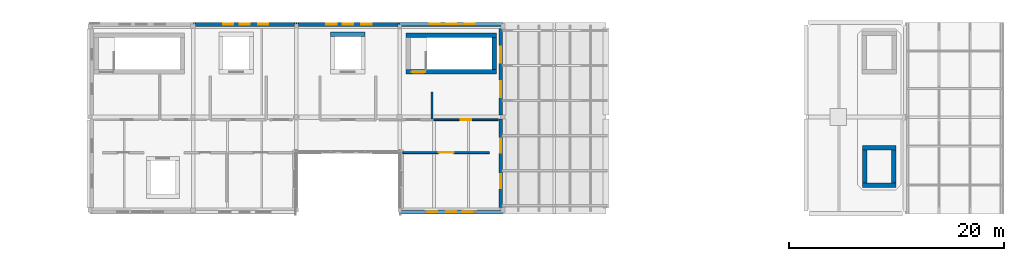
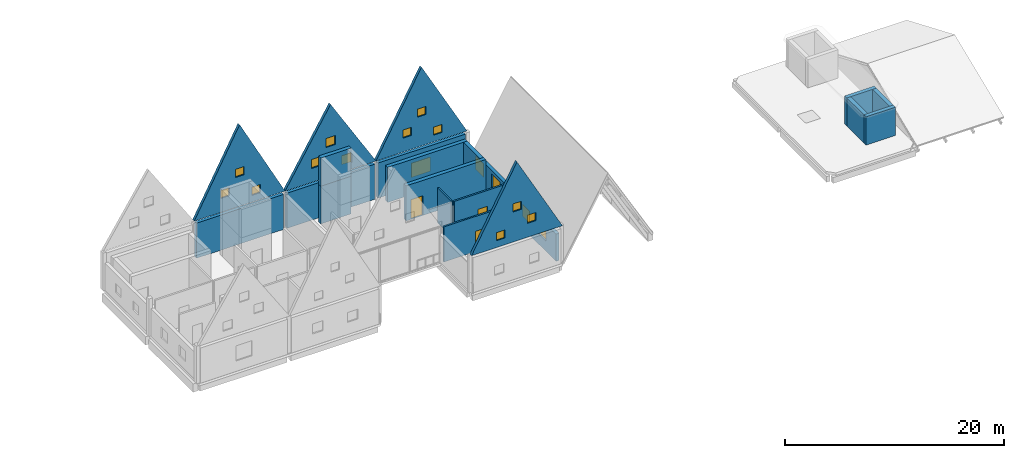
# One storey, part 10 of 13: 21 walls, 17 windows, 3 doors, 20 openings.
"""IFC4 building model written with IfcOpenShell, lengths in metres."""

from ifc_helpers import new_model, si_unit, direction, frame, frame_2d, origin, place, context, subcontext, project, spatial, polyline, rectangle, outline, extrude, material, layer, layer_set, type_object, element, fill, save


model = new_model("IFC4")

# Units and contexts
model_context = context("Model", 3, precision=1e-05, world=origin(), true_north=direction((0.0, 1.0)))
body_context = subcontext(model_context, "Body", "Model", "MODEL_VIEW")
ifc_project = project(units=[si_unit("LENGTHUNIT", "METRE"), si_unit("AREAUNIT", "SQUARE_METRE"), si_unit("VOLUMEUNIT", "CUBIC_METRE"), si_unit("PLANEANGLEUNIT", "RADIAN"), si_unit("MASSUNIT", "GRAM", prefix="KILO")], contexts=[model_context])

# Site, building, storey
site_placement = place(None, origin())
site = spatial("IfcSite", under=ifc_project, at=site_placement, CompositionType="ELEMENT")
building_placement = place(site_placement, origin())
building = spatial("IfcBuilding", under=site, at=building_placement, Name="Birchvale Park Specialist Clinic", CompositionType="ELEMENT")
storey_placement = place(building_placement, frame((0.0, 0.0, 22.199951171875)))
storey = spatial("IfcBuildingStorey", under=building, at=storey_placement, Name="L05", CompositionType="ELEMENT", Elevation=22.199951171875)

# Wall, opening, door
ifc_material_1 = material(Name="Concrete C40/50", Category="concrete")
ifc_layer_1 = layer(ifc_material_1, 0.39990234375)
ifc_layer_set_1 = layer_set([ifc_layer_1], Name="Concrete C40/50")
wall_type_1 = type_object("IfcWallType", Name="WL-CW-120", PredefinedType="SHEAR", material=ifc_layer_set_1)
wall_1_placement = place(storey_placement, frame((90.800048828125, 30.0, 0.0), z_axis=(0.0, 0.0, 1.0), x_axis=(1.0, 0.0, 0.0)))
wall_1 = element("IfcWall", 1, at=wall_1_placement, inside=storey, type_object=wall_type_1, Name="L05 stair ST5 EI 120 enclosure wall (south)", PredefinedType="SHEAR", context=body_context, shape_type="SweptSolid", body=[
    extrude(rectangle(XDim=8.39990234375, YDim=0.39990234375, at=frame_2d((4.199951171875, 0.0))), origin(), (0.0, 0.0, 1.0), 3.920166015625),
])
opening_1_placement = place(wall_1_placement, frame((0.52001953125, 0.0, 0.0)))
opening_1 = element("IfcOpeningElement", 2, at=opening_1_placement, cuts=wall_1, Name="Opening ID-FD60", PredefinedType="OPENING", context=body_context, shape_type="SweptSolid", body=[
    extrude(rectangle(XDim=1.25, YDim=2.199951171875, at=frame_2d((0.625, 1.10009765625))), frame((0.0, 0.2099609375, 0.0), z_axis=(0.0, -1.0, 0.0), x_axis=(1.0, 0.0, 0.0)), (0.0, 0.0, 1.0), 0.419921875),
])
ifc_material_2 = material(Name="Solid-core birch veneer and anodised aluminium", Category="aluminium")
door_type_1 = type_object("IfcDoorType", Name="DR-ID-FD60", OperationType="NOTDEFINED", PredefinedType="DOOR", material=ifc_material_2)
door_1_placement = place(opening_1_placement, origin())
door_1 = element("IfcDoor", 3, at=door_1_placement, inside=storey, type_object=door_type_1, Name="L05 stair ST5 fire door", OperationType="SINGLE_SWING_LEFT", OverallHeight=2.199951171875, OverallWidth=1.25, PredefinedType="DOOR", context=body_context, shape_type="SweptSolid", body=[
    extrude(rectangle(XDim=1.25, YDim=2.199951171875, at=frame_2d((0.625, 1.10009765625))), frame((0.0, 0.02490234375, 0.0), z_axis=(0.0, -1.0, 0.0), x_axis=(1.0, 0.0, 0.0)), (0.0, 0.0, 1.0), 0.050048828125),
])
fill(opening_1, door_1)

# Walls
wall_2_placement = place(storey_placement, frame((99.199951171875, 33.39990234375, 0.0), z_axis=(0.0, 0.0, 1.0), x_axis=(-1.0, 0.0, 0.0)))
element("IfcWall", 4, at=wall_2_placement, inside=storey, type_object=wall_type_1, Name="L05 stair ST5 EI 120 enclosure wall (north)", PredefinedType="SHEAR", context=body_context, shape_type="SweptSolid", body=[
    extrude(rectangle(XDim=8.39990234375, YDim=0.39990234375, at=frame_2d((4.199951171875, 0.0))), origin(), (0.0, 0.0, 1.0), 3.920166015625),
])
wall_3_placement = place(storey_placement, frame((99.0, 33.199951171875, 0.0), z_axis=(0.0, 0.0, 1.0), x_axis=(0.0, -1.0, 0.0)))
element("IfcWall", 5, at=wall_3_placement, inside=storey, type_object=wall_type_1, Name="L05 stair ST5 EI 120 enclosure wall (east)", PredefinedType="SHEAR", context=body_context, shape_type="SweptSolid", body=[
    extrude(rectangle(XDim=3.0, YDim=0.39990234375, at=frame_2d((1.5, 0.0))), origin(), (0.0, 0.0, 1.0), 3.920166015625),
])
wall_4_placement = place(storey_placement, frame((87.0, 33.5, 0.0), z_axis=(0.0, 0.0, 1.0), x_axis=(-1.0, 0.0, 0.0)))
element("IfcWall", 6, at=wall_4_placement, inside=storey, type_object=wall_type_1, Name="L05 lift LF2 shaft wall (north)", PredefinedType="SHEAR", context=body_context, shape_type="SweptSolid", body=[
    extrude(rectangle(XDim=3.199951171875, YDim=0.39990234375, at=frame_2d((1.60009765625, 0.0))), origin(), (0.0, 0.0, 1.0), 4.199951171875),
])
wall_5_placement = place(storey_placement, frame((87.0, 33.5, 4.199951171875), z_axis=(0.0, 0.0, 1.0), x_axis=(-1.0, 0.0, 0.0)))
element("IfcWall", 7, at=wall_5_placement, inside=storey, type_object=wall_type_1, Name="L06 lift LF2 shaft wall (north)", PredefinedType="SHEAR", context=body_context, shape_type="SweptSolid", body=[
    extrude(rectangle(XDim=3.199951171875, YDim=0.39990234375, at=frame_2d((1.60009765625, 0.0))), origin(), (0.0, 0.0, 1.0), 3.150146484375),
])
for number, where, z_axis, x_axis, name in (
    (8, (133.25, 19.449951171875, 0.0), (0.0, 0.0, 1.0), (1.0, 0.0, 0.0), "L05 lift LP4 shaft wall (south)"),
    (9, (136.35009765625, 22.949951171875, 0.0), (0.0, 0.0, 1.0), (-1.0, 0.0, 0.0), "L05 lift LP4 shaft wall (north)"),
    (10, (133.449951171875, 19.64990234375, 0.0), (0.0, 0.0, 1.0), (0.0, 1.0, 0.0), "L05 lift LP4 shaft wall (west)"),
    (11, (136.14990234375, 22.75, 0.0), (0.0, 0.0, 1.0), (0.0, -1.0, 0.0), "L05 lift LP4 shaft wall (east)"),
):
    element("IfcWall", number, at=place(storey_placement, frame(where, z_axis=z_axis, x_axis=x_axis)), inside=storey, type_object=wall_type_1, Name=name, PredefinedType="SHEAR", context=body_context, shape_type="SweptSolid", body=[
        extrude(rectangle(XDim=3.10009765625, YDim=0.39990234375, at=frame_2d((1.550048828125, 0.0))), origin(), (0.0, 0.0, 1.0), 3.150146484375),
    ])

# Wall, openings, windows
ifc_material_3 = material(Name="Lime-white mineral-rendered insulated masonry", Category="masonry")
ifc_layer_2 = layer(ifc_material_3, 0.340087890625)
ifc_layer_set_2 = layer_set([ifc_layer_2], Name="Lime-white mineral-rendered insulated masonry")
wall_type_2 = type_object("IfcWallType", Name="WL-EW-01", PredefinedType="STANDARD", material=ifc_layer_set_2)
wall_6_placement = place(storey_placement, frame((99.610107421875, 17.385009765625, 0.0), z_axis=(0.0, 0.0, 1.0), x_axis=(0.0, 1.0, 0.0)))
wall_6 = element("IfcWall", 12, at=wall_6_placement, inside=storey, type_object=wall_type_2, Name="V4 L05 exterior facade wall 301", PredefinedType="STANDARD", context=body_context, shape_type="SweptSolid", body=[
    extrude(rectangle(XDim=8.219970703125, YDim=0.340087890625, at=frame_2d((4.10986328125, 0.0))), origin(), (0.0, 0.0, 1.0), 3.03515625),
])
opening_2_placement = place(wall_6_placement, frame((1.81591796875, 0.0, 1.14990234375)))
opening_2 = element("IfcOpeningElement", 13, at=opening_2_placement, cuts=wall_6, Name="Opening W-SQ13", PredefinedType="OPENING", context=body_context, shape_type="SweptSolid", body=[
    extrude(rectangle(XDim=1.300048828125, YDim=1.300048828125, at=frame_2d((0.64990234375, 0.64990234375))), frame((0.0, 0.18017578125, 0.0), z_axis=(0.0, -1.0, 0.0), x_axis=(1.0, 0.0, 0.0)), (0.0, 0.0, 1.0), 0.360107421875),
])
opening_3_placement = place(wall_6_placement, frame((5.10400390625, 0.0, 1.14990234375)))
opening_3 = element("IfcOpeningElement", 14, at=opening_3_placement, cuts=wall_6, Name="Opening W-SQ13", PredefinedType="OPENING", context=body_context, shape_type="SweptSolid", body=[
    extrude(rectangle(XDim=1.300048828125, YDim=1.300048828125, at=frame_2d((0.64990234375, 0.64990234375))), frame((0.0, 0.18017578125, 0.0), z_axis=(0.0, -1.0, 0.0), x_axis=(1.0, 0.0, 0.0)), (0.0, 0.0, 1.0), 0.360107421875),
])
ifc_material_4 = material(Name="Solar-control low-E double glazing", Category="glass")
window_type_1 = type_object("IfcWindowType", Name="WIN-W-SQ13", PartitioningType="SINGLE_PANEL", PredefinedType="WINDOW", material=ifc_material_4)
window_1_placement = place(opening_2_placement, origin())
window_1 = element("IfcWindow", 15, at=window_1_placement, inside=storey, type_object=window_type_1, Name="V4 L05 cased window 161", OverallHeight=1.300048828125, OverallWidth=1.300048828125, PartitioningType="SINGLE_PANEL", PredefinedType="WINDOW", context=body_context, shape_type="SweptSolid", body=[
    extrude(rectangle(XDim=1.300048828125, YDim=1.300048828125, at=frame_2d((0.64990234375, 0.64990234375))), frame((0.0, 0.030029296875, 0.0), z_axis=(0.0, -1.0, 0.0), x_axis=(1.0, 0.0, 0.0)), (0.0, 0.0, 1.0), 0.06005859375),
])
fill(opening_2, window_1)
window_2_placement = place(opening_3_placement, origin())
window_2 = element("IfcWindow", 16, at=window_2_placement, inside=storey, type_object=window_type_1, Name="V4 L05 cased window 162", OverallHeight=1.300048828125, OverallWidth=1.300048828125, PartitioningType="SINGLE_PANEL", PredefinedType="WINDOW", context=body_context, shape_type="SweptSolid", body=[
    extrude(rectangle(XDim=1.300048828125, YDim=1.300048828125, at=frame_2d((0.64990234375, 0.64990234375))), frame((0.0, 0.030029296875, 0.0), z_axis=(0.0, -1.0, 0.0), x_axis=(1.0, 0.0, 0.0)), (0.0, 0.0, 1.0), 0.06005859375),
])
fill(opening_3, window_2)

wall_7_placement = place(storey_placement, frame((99.610107421875, 25.9951171875, 0.0), z_axis=(0.0, 0.0, 1.0), x_axis=(0.0, 1.0, 0.0)))
wall_7 = element("IfcWall", 17, at=wall_7_placement, inside=storey, type_object=wall_type_2, Name="V4 L05 exterior facade wall 302", PredefinedType="STANDARD", context=body_context, shape_type="SweptSolid", body=[
    extrude(rectangle(XDim=8.019775390625, YDim=0.340087890625, at=frame_2d((4.009765625, 0.0))), origin(), (0.0, 0.0, 1.0), 3.03515625),
])
opening_4_placement = place(wall_7_placement, frame((1.656005859375, 0.0, 1.14990234375)))
opening_4 = element("IfcOpeningElement", 18, at=opening_4_placement, cuts=wall_7, Name="Opening W-SQ15", PredefinedType="OPENING", context=body_context, shape_type="SweptSolid", body=[
    extrude(rectangle(XDim=1.5, YDim=1.5, at=frame_2d((0.75, 0.75))), frame((0.0, 0.18017578125, 0.0), z_axis=(0.0, -1.0, 0.0), x_axis=(1.0, 0.0, 0.0)), (0.0, 0.0, 1.0), 0.360107421875),
])
opening_5_placement = place(wall_7_placement, frame((4.864013671875, 0.0, 1.14990234375)))
opening_5 = element("IfcOpeningElement", 19, at=opening_5_placement, cuts=wall_7, Name="Opening W-SQ15", PredefinedType="OPENING", context=body_context, shape_type="SweptSolid", body=[
    extrude(rectangle(XDim=1.5, YDim=1.5, at=frame_2d((0.75, 0.75))), frame((0.0, 0.18017578125, 0.0), z_axis=(0.0, -1.0, 0.0), x_axis=(1.0, 0.0, 0.0)), (0.0, 0.0, 1.0), 0.360107421875),
])
window_type_2 = type_object("IfcWindowType", Name="WIN-W-SQ15", PartitioningType="SINGLE_PANEL", PredefinedType="WINDOW", material=ifc_material_4)
window_3_placement = place(opening_4_placement, origin())
window_3 = element("IfcWindow", 20, at=window_3_placement, inside=storey, type_object=window_type_2, Name="V4 L05 cased window 163", OverallHeight=1.5, OverallWidth=1.5, PartitioningType="SINGLE_PANEL", PredefinedType="WINDOW", context=body_context, shape_type="SweptSolid", body=[
    extrude(rectangle(XDim=1.5, YDim=1.5, at=frame_2d((0.75, 0.75))), frame((0.0, 0.030029296875, 0.0), z_axis=(0.0, -1.0, 0.0), x_axis=(1.0, 0.0, 0.0)), (0.0, 0.0, 1.0), 0.06005859375),
])
fill(opening_4, window_3)
window_4_placement = place(opening_5_placement, origin())
window_4 = element("IfcWindow", 21, at=window_4_placement, inside=storey, type_object=window_type_2, Name="V4 L05 cased window 164", OverallHeight=1.5, OverallWidth=1.5, PartitioningType="SINGLE_PANEL", PredefinedType="WINDOW", context=body_context, shape_type="SweptSolid", body=[
    extrude(rectangle(XDim=1.5, YDim=1.5, at=frame_2d((0.75, 0.75))), frame((0.0, 0.030029296875, 0.0), z_axis=(0.0, -1.0, 0.0), x_axis=(1.0, 0.0, 0.0)), (0.0, 0.0, 1.0), 0.06005859375),
])
fill(opening_5, window_4)

# Wall, opening, window
wall_8_placement = place(storey_placement, frame((99.6201171875, 34.409912109375, 0.0), z_axis=(0.0, 0.0, 1.0), x_axis=(-1.0, 0.0, 0.0)))
wall_8 = element("IfcWall", 22, at=wall_8_placement, inside=storey, type_object=wall_type_2, Name="V4 L05 exterior facade wall 303", PredefinedType="STANDARD", context=body_context, shape_type="SweptSolid", body=[
    extrude(rectangle(XDim=9.260009765625, YDim=0.340087890625, at=frame_2d((4.6298828125, 0.0))), origin(), (0.0, 0.0, 1.0), 3.920166015625),
])
opening_6_placement = place(wall_8_placement, frame((3.6298828125, 0.0, 0.949951171875)))
opening_6 = element("IfcOpeningElement", 23, at=opening_6_placement, cuts=wall_8, Name="Opening W-CL06", PredefinedType="OPENING", context=body_context, shape_type="SweptSolid", body=[
    extrude(rectangle(XDim=2.0, YDim=1.60009765625, at=frame_2d((1.0, 0.800048828125))), frame((0.0, 0.18017578125, 0.0), z_axis=(0.0, -1.0, 0.0), x_axis=(1.0, 0.0, 0.0)), (0.0, 0.0, 1.0), 0.360107421875),
])
window_type_3 = type_object("IfcWindowType", Name="WIN-W-CL06", PartitioningType="SINGLE_PANEL", PredefinedType="WINDOW", material=ifc_material_4)
window_5_placement = place(opening_6_placement, origin())
window_5 = element("IfcWindow", 24, at=window_5_placement, inside=storey, type_object=window_type_3, Name="V4 L05 cased window 165", OverallHeight=1.60009765625, OverallWidth=2.0, PartitioningType="SINGLE_PANEL", PredefinedType="WINDOW", context=body_context, shape_type="SweptSolid", body=[
    extrude(rectangle(XDim=2.0, YDim=1.60009765625, at=frame_2d((1.0, 0.800048828125))), frame((0.0, 0.030029296875, 0.0), z_axis=(0.0, -1.0, 0.0), x_axis=(1.0, 0.0, 0.0)), (0.0, 0.0, 1.0), 0.06005859375),
])
fill(opening_6, window_5)

# Walls
wall_9_placement = place(storey_placement, frame((90.0400390625, 34.409912109375, 0.0), z_axis=(0.0, 0.0, 1.0), x_axis=(-1.0, 0.0, 0.0)))
element("IfcWall", 25, at=wall_9_placement, inside=storey, type_object=wall_type_2, Name="V4 L05 exterior facade wall 304", PredefinedType="STANDARD", context=body_context, shape_type="SweptSolid", body=[
    extrude(rectangle(XDim=9.255126953125, YDim=0.340087890625, at=frame_2d((4.62744140625, 0.0))), origin(), (0.0, 0.0, 1.0), 3.920166015625),
])
wall_10_placement = place(storey_placement, frame((80.4150390625, 34.409912109375, 0.0), z_axis=(0.0, 0.0, 1.0), x_axis=(-1.0, 0.0, 0.0)))
element("IfcWall", 26, at=wall_10_placement, inside=storey, type_object=wall_type_2, Name="V4 L05 exterior facade wall 305", PredefinedType="STANDARD", context=body_context, shape_type="SweptSolid", body=[
    extrude(rectangle(XDim=9.205078125, YDim=0.340087890625, at=frame_2d((4.6025390625, 0.0))), origin(), (0.0, 0.0, 1.0), 3.920166015625),
])

# Wall, openings, windows
ifc_layer_3 = layer(ifc_material_3, 0.31005859375)
ifc_layer_set_3 = layer_set([ifc_layer_3], Name="Lime-white mineral-rendered insulated masonry")
wall_type_3 = type_object("IfcWallType", Name="WL-EW-02", PredefinedType="STANDARD", material=ifc_layer_set_3)
wall_11_placement = place(storey_placement, frame((80.60009765625, 34.425048828125, 4.199951171875), z_axis=(0.0, 0.0, 1.0), x_axis=(-1.0, 0.0, 0.0)))
wall_11 = element("IfcWall", 27, at=wall_11_placement, inside=storey, type_object=wall_type_3, Name="L06 white house-gable end wall Bay 3 N", PredefinedType="STANDARD", context=body_context, shape_type="SweptSolid", body=[
    extrude(outline(polyline([(0.0, 0.0), (9.60009765625, 0.0), (9.60009765625, 0.0), (4.800048828125, 9.090087890625), (0.0, 0.0), (0.0, 0.0)])), frame((0.0, 0.155029296875, 0.0), z_axis=(0.0, -1.0, 0.0), x_axis=(1.0, 0.0, 0.0)), (0.0, 0.0, 1.0), 0.31005859375),
])
opening_7_placement = place(wall_11_placement, frame((2.6220703125, 0.0, 0.75)))
opening_7 = element("IfcOpeningElement", 28, at=opening_7_placement, cuts=wall_11, Name="Opening W-SQ09", PredefinedType="OPENING", context=body_context, shape_type="SweptSolid", body=[
    extrude(rectangle(XDim=0.89990234375, YDim=0.89990234375, at=frame_2d((0.449951171875, 0.449951171875))), frame((0.0, 0.1650390625, 0.0), z_axis=(0.0, -1.0, 0.0), x_axis=(1.0, 0.0, 0.0)), (0.0, 0.0, 1.0), 0.330078125),
])
opening_8_placement = place(wall_11_placement, frame((5.885986328125, 0.0, 1.550048828125)))
opening_8 = element("IfcOpeningElement", 29, at=opening_8_placement, cuts=wall_11, Name="Opening W-SQ09", PredefinedType="OPENING", context=body_context, shape_type="SweptSolid", body=[
    extrude(rectangle(XDim=0.89990234375, YDim=0.89990234375, at=frame_2d((0.449951171875, 0.449951171875))), frame((0.0, 0.1650390625, 0.0), z_axis=(0.0, -1.0, 0.0), x_axis=(1.0, 0.0, 0.0)), (0.0, 0.0, 1.0), 0.330078125),
])
opening_9_placement = place(wall_11_placement, frame((4.35009765625, 0.0, 3.35009765625)))
opening_9 = element("IfcOpeningElement", 30, at=opening_9_placement, cuts=wall_11, Name="Opening W-SQ09", PredefinedType="OPENING", context=body_context, shape_type="SweptSolid", body=[
    extrude(rectangle(XDim=0.89990234375, YDim=0.89990234375, at=frame_2d((0.449951171875, 0.449951171875))), frame((0.0, 0.1650390625, 0.0), z_axis=(0.0, -1.0, 0.0), x_axis=(1.0, 0.0, 0.0)), (0.0, 0.0, 1.0), 0.330078125),
])
window_type_4 = type_object("IfcWindowType", Name="WIN-W-SQ09", PartitioningType="SINGLE_PANEL", PredefinedType="WINDOW", material=ifc_material_4)
window_6_placement = place(opening_7_placement, origin())
window_6 = element("IfcWindow", 31, at=window_6_placement, inside=storey, type_object=window_type_4, Name="L06 gable square window Bay 3 N.1", OverallHeight=0.89990234375, OverallWidth=0.89990234375, PartitioningType="SINGLE_PANEL", PredefinedType="WINDOW", context=body_context, shape_type="SweptSolid", body=[
    extrude(rectangle(XDim=0.89990234375, YDim=0.89990234375, at=frame_2d((0.449951171875, 0.449951171875))), frame((0.0, 0.030029296875, 0.0), z_axis=(0.0, -1.0, 0.0), x_axis=(1.0, 0.0, 0.0)), (0.0, 0.0, 1.0), 0.06005859375),
])
fill(opening_7, window_6)
window_7_placement = place(opening_8_placement, origin())
window_7 = element("IfcWindow", 32, at=window_7_placement, inside=storey, type_object=window_type_4, Name="L06 gable square window Bay 3 N.2", OverallHeight=0.89990234375, OverallWidth=0.89990234375, PartitioningType="SINGLE_PANEL", PredefinedType="WINDOW", context=body_context, shape_type="SweptSolid", body=[
    extrude(rectangle(XDim=0.89990234375, YDim=0.89990234375, at=frame_2d((0.449951171875, 0.449951171875))), frame((0.0, 0.030029296875, 0.0), z_axis=(0.0, -1.0, 0.0), x_axis=(1.0, 0.0, 0.0)), (0.0, 0.0, 1.0), 0.06005859375),
])
fill(opening_8, window_7)
window_8_placement = place(opening_9_placement, origin())
window_8 = element("IfcWindow", 33, at=window_8_placement, inside=storey, type_object=window_type_4, Name="L06 gable square window Bay 3 N.3", OverallHeight=0.89990234375, OverallWidth=0.89990234375, PartitioningType="SINGLE_PANEL", PredefinedType="WINDOW", context=body_context, shape_type="SweptSolid", body=[
    extrude(rectangle(XDim=0.89990234375, YDim=0.89990234375, at=frame_2d((0.449951171875, 0.449951171875))), frame((0.0, 0.030029296875, 0.0), z_axis=(0.0, -1.0, 0.0), x_axis=(1.0, 0.0, 0.0)), (0.0, 0.0, 1.0), 0.06005859375),
])
fill(opening_9, window_8)

wall_12_placement = place(storey_placement, frame((90.199951171875, 34.425048828125, 4.199951171875), z_axis=(0.0, 0.0, 1.0), x_axis=(-1.0, 0.0, 0.0)))
wall_12 = element("IfcWall", 34, at=wall_12_placement, inside=storey, type_object=wall_type_3, Name="L06 white house-gable end wall Bay 4 N", PredefinedType="STANDARD", context=body_context, shape_type="SweptSolid", body=[
    extrude(outline(polyline([(0.0, 0.0), (9.599853515625, 0.0), (9.60009765625, 0.0), (4.800048828125, 7.989990234375), (0.0, 0.0), (0.0, 0.0)])), frame((0.0, 0.155029296875, 0.0), z_axis=(0.0, -1.0, 0.0), x_axis=(1.0, 0.0, 0.0)), (0.0, 0.0, 1.0), 0.31005859375),
])
opening_10_placement = place(wall_12_placement, frame((2.572021484375, 0.0, 0.75)))
opening_10 = element("IfcOpeningElement", 35, at=opening_10_placement, cuts=wall_12, Name="Opening W-SQ10", PredefinedType="OPENING", context=body_context, shape_type="SweptSolid", body=[
    extrude(rectangle(XDim=1.0, YDim=1.0, at=frame_2d((0.5, 0.5))), frame((0.0, 0.1650390625, 0.0), z_axis=(0.0, -1.0, 0.0), x_axis=(1.0, 0.0, 0.0)), (0.0, 0.0, 1.0), 0.330078125),
])
opening_11_placement = place(wall_12_placement, frame((5.8359375, 0.0, 1.550048828125)))
opening_11 = element("IfcOpeningElement", 36, at=opening_11_placement, cuts=wall_12, Name="Opening W-SQ10", PredefinedType="OPENING", context=body_context, shape_type="SweptSolid", body=[
    extrude(rectangle(XDim=1.0, YDim=1.0, at=frame_2d((0.5, 0.5))), frame((0.0, 0.1650390625, 0.0), z_axis=(0.0, -1.0, 0.0), x_axis=(1.0, 0.0, 0.0)), (0.0, 0.0, 1.0), 0.330078125),
])
opening_12_placement = place(wall_12_placement, frame((4.300048828125, 0.0, 3.35009765625)))
opening_12 = element("IfcOpeningElement", 37, at=opening_12_placement, cuts=wall_12, Name="Opening W-SQ10", PredefinedType="OPENING", context=body_context, shape_type="SweptSolid", body=[
    extrude(rectangle(XDim=1.0, YDim=1.0, at=frame_2d((0.5, 0.5))), frame((0.0, 0.1650390625, 0.0), z_axis=(0.0, -1.0, 0.0), x_axis=(1.0, 0.0, 0.0)), (0.0, 0.0, 1.0), 0.330078125),
])
window_type_5 = type_object("IfcWindowType", Name="WIN-W-SQ10", PartitioningType="SINGLE_PANEL", PredefinedType="WINDOW", material=ifc_material_4)
window_9_placement = place(opening_10_placement, origin())
window_9 = element("IfcWindow", 38, at=window_9_placement, inside=storey, type_object=window_type_5, Name="L06 gable square window Bay 4 N.1", OverallHeight=1.0, OverallWidth=1.0, PartitioningType="SINGLE_PANEL", PredefinedType="WINDOW", context=body_context, shape_type="SweptSolid", body=[
    extrude(rectangle(XDim=1.0, YDim=1.0, at=frame_2d((0.5, 0.5))), frame((0.0, 0.030029296875, 0.0), z_axis=(0.0, -1.0, 0.0), x_axis=(1.0, 0.0, 0.0)), (0.0, 0.0, 1.0), 0.06005859375),
])
fill(opening_10, window_9)
window_10_placement = place(opening_11_placement, origin())
window_10 = element("IfcWindow", 39, at=window_10_placement, inside=storey, type_object=window_type_5, Name="L06 gable square window Bay 4 N.2", OverallHeight=1.0, OverallWidth=1.0, PartitioningType="SINGLE_PANEL", PredefinedType="WINDOW", context=body_context, shape_type="SweptSolid", body=[
    extrude(rectangle(XDim=1.0, YDim=1.0, at=frame_2d((0.5, 0.5))), frame((0.0, 0.030029296875, 0.0), z_axis=(0.0, -1.0, 0.0), x_axis=(1.0, 0.0, 0.0)), (0.0, 0.0, 1.0), 0.06005859375),
])
fill(opening_11, window_10)
window_11_placement = place(opening_12_placement, origin())
window_11 = element("IfcWindow", 40, at=window_11_placement, inside=storey, type_object=window_type_5, Name="L06 gable square window Bay 4 N.3", OverallHeight=1.0, OverallWidth=1.0, PartitioningType="SINGLE_PANEL", PredefinedType="WINDOW", context=body_context, shape_type="SweptSolid", body=[
    extrude(rectangle(XDim=1.0, YDim=1.0, at=frame_2d((0.5, 0.5))), frame((0.0, 0.030029296875, 0.0), z_axis=(0.0, -1.0, 0.0), x_axis=(1.0, 0.0, 0.0)), (0.0, 0.0, 1.0), 0.06005859375),
])
fill(opening_12, window_11)

wall_13_placement = place(storey_placement, frame((90.199951171875, 16.97509765625, 4.199951171875), z_axis=(0.0, 0.0, 1.0), x_axis=(1.0, 0.0, 0.0)))
wall_13 = element("IfcWall", 41, at=wall_13_placement, inside=storey, type_object=wall_type_3, Name="L06 white house-gable end wall Bay 5 S", PredefinedType="STANDARD", context=body_context, shape_type="SweptSolid", body=[
    extrude(outline(polyline([(0.0, 0.0), (9.60009765625, 0.0), (9.60009765625, 0.0), (4.800048828125, 8.7900390625), (0.0, 0.0), (0.0, 0.0)])), frame((0.0, 0.155029296875, 0.0), z_axis=(0.0, -1.0, 0.0), x_axis=(1.0, 0.0, 0.0)), (0.0, 0.0, 1.0), 0.31005859375),
])
opening_13_placement = place(wall_13_placement, frame((2.6220703125, 0.0, 0.75)))
opening_13 = element("IfcOpeningElement", 42, at=opening_13_placement, cuts=wall_13, Name="Opening W-SQ09", PredefinedType="OPENING", context=body_context, shape_type="SweptSolid", body=[
    extrude(rectangle(XDim=0.89990234375, YDim=0.89990234375, at=frame_2d((0.449951171875, 0.449951171875))), frame((0.0, 0.1650390625, 0.0), z_axis=(0.0, -1.0, 0.0), x_axis=(1.0, 0.0, 0.0)), (0.0, 0.0, 1.0), 0.330078125),
])
opening_14_placement = place(wall_13_placement, frame((5.885986328125, 0.0, 1.550048828125)))
opening_14 = element("IfcOpeningElement", 43, at=opening_14_placement, cuts=wall_13, Name="Opening W-SQ09", PredefinedType="OPENING", context=body_context, shape_type="SweptSolid", body=[
    extrude(rectangle(XDim=0.89990234375, YDim=0.89990234375, at=frame_2d((0.449951171875, 0.449951171875))), frame((0.0, 0.1650390625, 0.0), z_axis=(0.0, -1.0, 0.0), x_axis=(1.0, 0.0, 0.0)), (0.0, 0.0, 1.0), 0.330078125),
])
opening_15_placement = place(wall_13_placement, frame((4.35009765625, 0.0, 3.35009765625)))
opening_15 = element("IfcOpeningElement", 44, at=opening_15_placement, cuts=wall_13, Name="Opening W-SQ09", PredefinedType="OPENING", context=body_context, shape_type="SweptSolid", body=[
    extrude(rectangle(XDim=0.89990234375, YDim=0.89990234375, at=frame_2d((0.449951171875, 0.449951171875))), frame((0.0, 0.1650390625, 0.0), z_axis=(0.0, -1.0, 0.0), x_axis=(1.0, 0.0, 0.0)), (0.0, 0.0, 1.0), 0.330078125),
])
window_12_placement = place(opening_13_placement, origin())
window_12 = element("IfcWindow", 45, at=window_12_placement, inside=storey, type_object=window_type_4, Name="L06 gable square window Bay 5 S.1", OverallHeight=0.89990234375, OverallWidth=0.89990234375, PartitioningType="SINGLE_PANEL", PredefinedType="WINDOW", context=body_context, shape_type="SweptSolid", body=[
    extrude(rectangle(XDim=0.89990234375, YDim=0.89990234375, at=frame_2d((0.449951171875, 0.449951171875))), frame((0.0, 0.030029296875, 0.0), z_axis=(0.0, -1.0, 0.0), x_axis=(1.0, 0.0, 0.0)), (0.0, 0.0, 1.0), 0.06005859375),
])
fill(opening_13, window_12)
window_13_placement = place(opening_14_placement, origin())
window_13 = element("IfcWindow", 46, at=window_13_placement, inside=storey, type_object=window_type_4, Name="L06 gable square window Bay 5 S.2", OverallHeight=0.89990234375, OverallWidth=0.89990234375, PartitioningType="SINGLE_PANEL", PredefinedType="WINDOW", context=body_context, shape_type="SweptSolid", body=[
    extrude(rectangle(XDim=0.89990234375, YDim=0.89990234375, at=frame_2d((0.449951171875, 0.449951171875))), frame((0.0, 0.030029296875, 0.0), z_axis=(0.0, -1.0, 0.0), x_axis=(1.0, 0.0, 0.0)), (0.0, 0.0, 1.0), 0.06005859375),
])
fill(opening_14, window_13)
window_14_placement = place(opening_15_placement, origin())
window_14 = element("IfcWindow", 47, at=window_14_placement, inside=storey, type_object=window_type_4, Name="L06 gable square window Bay 5 S.3", OverallHeight=0.89990234375, OverallWidth=0.89990234375, PartitioningType="SINGLE_PANEL", PredefinedType="WINDOW", context=body_context, shape_type="SweptSolid", body=[
    extrude(rectangle(XDim=0.89990234375, YDim=0.89990234375, at=frame_2d((0.449951171875, 0.449951171875))), frame((0.0, 0.030029296875, 0.0), z_axis=(0.0, -1.0, 0.0), x_axis=(1.0, 0.0, 0.0)), (0.0, 0.0, 1.0), 0.06005859375),
])
fill(opening_15, window_14)

wall_14_placement = place(storey_placement, frame((99.800048828125, 34.425048828125, 4.199951171875), z_axis=(0.0, 0.0, 1.0), x_axis=(-1.0, 0.0, 0.0)))
wall_14 = element("IfcWall", 48, at=wall_14_placement, inside=storey, type_object=wall_type_3, Name="L06 white house-gable end wall Bay 5 N", PredefinedType="STANDARD", context=body_context, shape_type="SweptSolid", body=[
    extrude(outline(polyline([(0.0, 0.0), (9.60009765625, 0.0), (9.60009765625, 0.0), (4.800048828125, 8.7900390625), (0.0, 0.0), (0.0, 0.0)])), frame((0.0, 0.155029296875, 0.0), z_axis=(0.0, -1.0, 0.0), x_axis=(1.0, 0.0, 0.0)), (0.0, 0.0, 1.0), 0.31005859375),
])
opening_16_placement = place(wall_14_placement, frame((2.6220703125, 0.0, 0.75)))
opening_16 = element("IfcOpeningElement", 49, at=opening_16_placement, cuts=wall_14, Name="Opening W-SQ09", PredefinedType="OPENING", context=body_context, shape_type="SweptSolid", body=[
    extrude(rectangle(XDim=0.89990234375, YDim=0.89990234375, at=frame_2d((0.449951171875, 0.449951171875))), frame((0.0, 0.1650390625, 0.0), z_axis=(0.0, -1.0, 0.0), x_axis=(1.0, 0.0, 0.0)), (0.0, 0.0, 1.0), 0.330078125),
])
opening_17_placement = place(wall_14_placement, frame((5.885986328125, 0.0, 1.550048828125)))
opening_17 = element("IfcOpeningElement", 50, at=opening_17_placement, cuts=wall_14, Name="Opening W-SQ09", PredefinedType="OPENING", context=body_context, shape_type="SweptSolid", body=[
    extrude(rectangle(XDim=0.89990234375, YDim=0.89990234375, at=frame_2d((0.449951171875, 0.449951171875))), frame((0.0, 0.1650390625, 0.0), z_axis=(0.0, -1.0, 0.0), x_axis=(1.0, 0.0, 0.0)), (0.0, 0.0, 1.0), 0.330078125),
])
opening_18_placement = place(wall_14_placement, frame((4.35009765625, 0.0, 3.35009765625)))
opening_18 = element("IfcOpeningElement", 51, at=opening_18_placement, cuts=wall_14, Name="Opening W-SQ09", PredefinedType="OPENING", context=body_context, shape_type="SweptSolid", body=[
    extrude(rectangle(XDim=0.89990234375, YDim=0.89990234375, at=frame_2d((0.449951171875, 0.449951171875))), frame((0.0, 0.1650390625, 0.0), z_axis=(0.0, -1.0, 0.0), x_axis=(1.0, 0.0, 0.0)), (0.0, 0.0, 1.0), 0.330078125),
])
window_15_placement = place(opening_16_placement, origin())
window_15 = element("IfcWindow", 52, at=window_15_placement, inside=storey, type_object=window_type_4, Name="L06 gable square window Bay 5 N.1", OverallHeight=0.89990234375, OverallWidth=0.89990234375, PartitioningType="SINGLE_PANEL", PredefinedType="WINDOW", context=body_context, shape_type="SweptSolid", body=[
    extrude(rectangle(XDim=0.89990234375, YDim=0.89990234375, at=frame_2d((0.449951171875, 0.449951171875))), frame((0.0, 0.030029296875, 0.0), z_axis=(0.0, -1.0, 0.0), x_axis=(1.0, 0.0, 0.0)), (0.0, 0.0, 1.0), 0.06005859375),
])
fill(opening_16, window_15)
window_16_placement = place(opening_17_placement, origin())
window_16 = element("IfcWindow", 53, at=window_16_placement, inside=storey, type_object=window_type_4, Name="L06 gable square window Bay 5 N.2", OverallHeight=0.89990234375, OverallWidth=0.89990234375, PartitioningType="SINGLE_PANEL", PredefinedType="WINDOW", context=body_context, shape_type="SweptSolid", body=[
    extrude(rectangle(XDim=0.89990234375, YDim=0.89990234375, at=frame_2d((0.449951171875, 0.449951171875))), frame((0.0, 0.030029296875, 0.0), z_axis=(0.0, -1.0, 0.0), x_axis=(1.0, 0.0, 0.0)), (0.0, 0.0, 1.0), 0.06005859375),
])
fill(opening_17, window_16)
window_17_placement = place(opening_18_placement, origin())
window_17 = element("IfcWindow", 54, at=window_17_placement, inside=storey, type_object=window_type_4, Name="L06 gable square window Bay 5 N.3", OverallHeight=0.89990234375, OverallWidth=0.89990234375, PartitioningType="SINGLE_PANEL", PredefinedType="WINDOW", context=body_context, shape_type="SweptSolid", body=[
    extrude(rectangle(XDim=0.89990234375, YDim=0.89990234375, at=frame_2d((0.449951171875, 0.449951171875))), frame((0.0, 0.030029296875, 0.0), z_axis=(0.0, -1.0, 0.0), x_axis=(1.0, 0.0, 0.0)), (0.0, 0.0, 1.0), 0.06005859375),
])
fill(opening_18, window_17)

# Wall
ifc_material_5 = material(Name="Acoustic gypsum board on metal framing")
ifc_layer_4 = layer(ifc_material_5, 0.1650390625)
ifc_layer_set_4 = layer_set([ifc_layer_4], Name="Acoustic gypsum board on metal framing")
wall_type_4 = type_object("IfcWallType", Name="WL-IW-01", PredefinedType="PARTITIONING", material=ifc_layer_set_4)
wall_15_placement = place(storey_placement, frame((93.21337890625, 28.1201171875, 0.0), z_axis=(0.0, 0.0, 1.0), x_axis=(0.0, -1.0, 0.0)))
element("IfcWall", 55, at=wall_15_placement, inside=storey, type_object=wall_type_4, Name="V4 L05 clinical partition 588", PredefinedType="PARTITIONING", context=body_context, shape_type="SweptSolid", body=[
    extrude(rectangle(XDim=2.490234375, YDim=0.1650390625, at=frame_2d((1.2451171875, 0.0))), origin(), (0.0, 0.0, 1.0), 3.920166015625),
])

# Wall, opening, door
ifc_layer_5 = layer(ifc_material_5, 0.179931640625)
ifc_layer_set_5 = layer_set([ifc_layer_5], Name="Acoustic gypsum board on metal framing")
wall_type_5 = type_object("IfcWallType", Name="WL-IW-60", PredefinedType="PARTITIONING", material=ifc_layer_set_5)
wall_16_placement = place(storey_placement, frame((90.5, 22.5, 0.0), z_axis=(0.0, 0.0, 1.0), x_axis=(1.0, 0.0, 0.0)))
wall_16 = element("IfcWall", 56, at=wall_16_placement, inside=storey, type_object=wall_type_5, Name="V4 L05 clinical partition 583", PredefinedType="PARTITIONING", context=body_context, shape_type="SweptSolid", body=[
    extrude(rectangle(XDim=8.06005859375, YDim=0.179931640625, at=frame_2d((4.030029296875, 0.0))), origin(), (0.0, 0.0, 1.0), 3.920166015625),
])
opening_19_placement = place(wall_16_placement, frame((3.340087890625, 0.0, 0.0)))
opening_19 = element("IfcOpeningElement", 57, at=opening_19_placement, cuts=wall_16, Name="Opening ID-06", PredefinedType="OPENING", context=body_context, shape_type="SweptSolid", body=[
    extrude(rectangle(XDim=1.3798828125, YDim=2.25, at=frame_2d((0.68994140625, 1.125))), frame((0.0, 0.10009765625, 0.0), z_axis=(0.0, -1.0, 0.0), x_axis=(1.0, 0.0, 0.0)), (0.0, 0.0, 1.0), 0.199951171875),
])
door_type_2 = type_object("IfcDoorType", Name="DR-ID-06", OperationType="NOTDEFINED", PredefinedType="DOOR", material=ifc_material_2)
door_2_placement = place(opening_19_placement, origin())
door_2 = element("IfcDoor", 58, at=door_2_placement, inside=storey, type_object=door_type_2, Name="L05 Outpatient Waiting Lounge door", OperationType="SINGLE_SWING_LEFT", OverallHeight=2.25, OverallWidth=1.3798828125, PredefinedType="DOOR", context=body_context, shape_type="SweptSolid", body=[
    extrude(rectangle(XDim=1.3798828125, YDim=2.25, at=frame_2d((0.68994140625, 1.125))), frame((0.0, 0.02490234375, 0.0), z_axis=(0.0, -1.0, 0.0), x_axis=(1.0, 0.0, 0.0)), (0.0, 0.0, 1.0), 0.050048828125),
])
fill(opening_19, door_2)

wall_17_placement = place(storey_placement, frame((99.360107421875, 25.550048828125, 0.0), z_axis=(0.0, 0.0, 1.0), x_axis=(-1.0, 0.0, 0.0)))
wall_17 = element("IfcWall", 59, at=wall_17_placement, inside=storey, type_object=wall_type_5, Name="V4 L05 clinical partition 590", PredefinedType="PARTITIONING", context=body_context, shape_type="SweptSolid", body=[
    extrude(rectangle(XDim=5.98681640625, YDim=0.179931640625, at=frame_2d((2.993408203125, 0.0))), origin(), (0.0, 0.0, 1.0), 3.920166015625),
])
opening_20_placement = place(wall_17_placement, frame((2.493408203125, 0.0, 0.0)))
opening_20 = element("IfcOpeningElement", 60, at=opening_20_placement, cuts=wall_17, Name="Opening ID-01", PredefinedType="OPENING", context=body_context, shape_type="SweptSolid", body=[
    extrude(rectangle(XDim=1.0, YDim=2.14990234375, at=frame_2d((0.5, 1.074951171875))), frame((0.0, 0.10009765625, 0.0), z_axis=(0.0, -1.0, 0.0), x_axis=(1.0, 0.0, 0.0)), (0.0, 0.0, 1.0), 0.199951171875),
])
door_type_3 = type_object("IfcDoorType", Name="DR-ID-01", OperationType="NOTDEFINED", PredefinedType="DOOR", material=ifc_material_2)
door_3_placement = place(opening_20_placement, origin())
door_3 = element("IfcDoor", 61, at=door_3_placement, inside=storey, type_object=door_type_3, Name="L05 Palliative Care Consultation Clinic door", OperationType="SINGLE_SWING_RIGHT", OverallHeight=2.14990234375, OverallWidth=1.0, PredefinedType="DOOR", context=body_context, shape_type="SweptSolid", body=[
    extrude(rectangle(XDim=1.0, YDim=2.14990234375, at=frame_2d((0.5, 1.074951171875))), frame((0.0, 0.02490234375, 0.0), z_axis=(0.0, -1.0, 0.0), x_axis=(1.0, 0.0, 0.0)), (0.0, 0.0, 1.0), 0.050048828125),
])
fill(opening_20, door_3)

save(model, "model.ifc")
